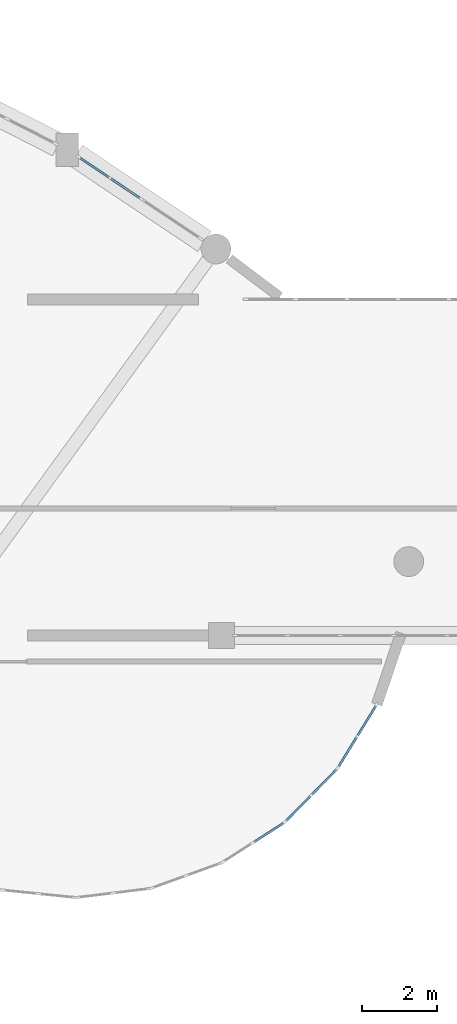
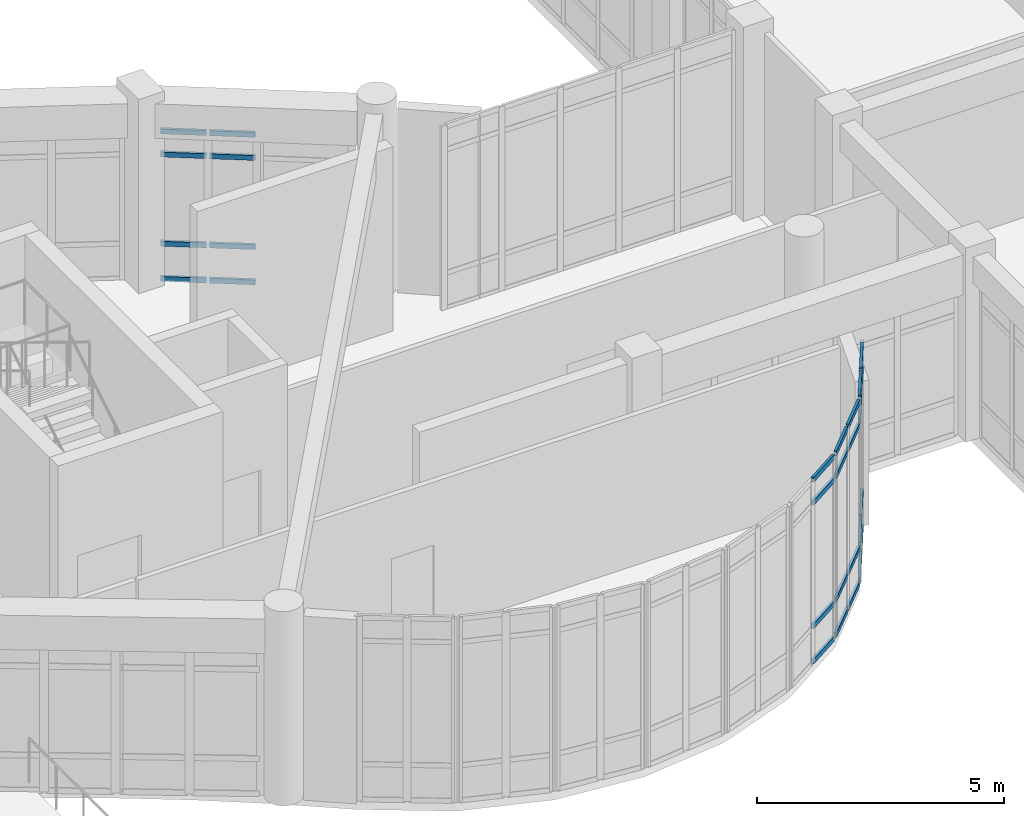
# One storey, part 35 of 65: 28 members, 4 elements without a shape of their own.
"""IFC4 building model written with IfcOpenShell, lengths in metres."""

from ifc_helpers import new_model, si_unit, direction, frame, origin, origin_2d, place, context, subcontext, project, spatial, rectangle, extrude, material, layer, layer_set, material_profile, profile_set, type_object, element, aggregate, save


model = new_model("IFC4")

# Units and contexts
model_context = context("Model", 3, precision=1e-05, world=origin(), true_north=direction((0.0, 1.0)))
body_context = subcontext(model_context, "Body", "Model", "MODEL_VIEW")
ifc_project = project(units=[si_unit("LENGTHUNIT", "METRE"), si_unit("AREAUNIT", "SQUARE_METRE"), si_unit("VOLUMEUNIT", "CUBIC_METRE"), si_unit("PLANEANGLEUNIT", "RADIAN"), si_unit("MASSUNIT", "GRAM", prefix="KILO")], contexts=[model_context])

# Site, building, storey
site_placement = place(None, origin())
site = spatial("IfcSite", under=ifc_project, at=site_placement, CompositionType="ELEMENT")
building_placement = place(site_placement, origin())
building = spatial("IfcBuilding", under=site, at=building_placement, Name="Miralva Faculty of Natural Sciences", CompositionType="ELEMENT")
storey_placement = place(building_placement, frame((0.0, 0.0, 10.199951171875)))
storey = spatial("IfcBuildingStorey", under=building, at=storey_placement, Name="L02", CompositionType="ELEMENT", Elevation=10.199951171875)

# Curtain wall, members
ifc_material_1 = material(Name="Laminated solar-control glass", Category="glass")
ifc_layer_1 = layer(ifc_material_1, 0.179931640625, Name="CW-ARC-L01")
ifc_layer_set_1 = layer_set([ifc_layer_1], Name="Laminated solar-control glass")
curtain_wall_type_1 = type_object("IfcCurtainWallType", Name="CW-ARC-L01", PredefinedType="USERDEFINED", material=ifc_layer_set_1)
curtain_wall_1_placement = place(storey_placement, origin())
curtain_wall_1 = element("IfcCurtainWall", 1, at=curtain_wall_1_placement, inside=storey, type_object=curtain_wall_type_1, Name="Curtain wall CW-02 L02-91", ObjectType="UNITISED CURTAIN WALL", PredefinedType="USERDEFINED")
ifc_material_2 = material(Name="Anodised aluminium", Category="aluminium")
ifc_material_profile = material_profile(ifc_material_2, rectangle(XDim=0.06005859375, YDim=0.1201171875, at=origin_2d()), Name="TRANSOM 60x120")
ifc_profile_set = profile_set([ifc_material_profile], Name="Anodised aluminium")
member_type = type_object("IfcMemberType", Name="CW-T02", PredefinedType="USERDEFINED", material=ifc_profile_set)
member_1_placement = place(storey_placement, frame((122.21337890625, 30.783203125, 0.030029296875), z_axis=(0.83148276453, -0.555550548815, 0.0), x_axis=(0.555550548815, 0.83148276453, 0.0)))
member_1 = element("IfcMember", 2, at=member_1_placement, type_object=member_type, Name="CW-02 transom 1.1", ObjectType="TRANSOM", PredefinedType="USERDEFINED", context=body_context, shape_type="SweptSolid", body=[
    extrude(rectangle(XDim=0.06005859375, YDim=0.1201171875, at=origin_2d()), origin(), (0.0, 0.0, 1.0), 0.92724609375),
])
member_2_placement = place(storey_placement, frame((122.21337890625, 30.783203125, 0.900146484375), z_axis=(0.83148276453, -0.555550548815, 0.0), x_axis=(0.555550548815, 0.83148276453, 0.0)))
member_2 = element("IfcMember", 3, at=member_2_placement, type_object=member_type, Name="CW-02 transom 1.2", ObjectType="TRANSOM", PredefinedType="USERDEFINED", context=body_context, shape_type="SweptSolid", body=[
    extrude(rectangle(XDim=0.06005859375, YDim=0.1201171875, at=origin_2d()), origin(), (0.0, 0.0, 1.0), 0.92724609375),
])
member_3_placement = place(storey_placement, frame((122.21337890625, 30.783203125, 3.10498046875), z_axis=(0.83148276453, -0.555550548815, 0.0), x_axis=(0.555550548815, 0.83148276453, 0.0)))
member_3 = element("IfcMember", 4, at=member_3_placement, type_object=member_type, Name="CW-02 transom 1.3", ObjectType="TRANSOM", PredefinedType="USERDEFINED", context=body_context, shape_type="SweptSolid", body=[
    extrude(rectangle(XDim=0.06005859375, YDim=0.1201171875, at=origin_2d()), origin(), (0.0, 0.0, 1.0), 0.92724609375),
])
member_4_placement = place(storey_placement, frame((122.21337890625, 30.783203125, 3.675048828125), z_axis=(0.83148276453, -0.555550548815, 0.0), x_axis=(0.555550548815, 0.83148276453, 0.0)))
member_4 = element("IfcMember", 5, at=member_4_placement, type_object=member_type, Name="CW-02 transom 1.4", ObjectType="TRANSOM", PredefinedType="USERDEFINED", context=body_context, shape_type="SweptSolid", body=[
    extrude(rectangle(XDim=0.06005859375, YDim=0.1201171875, at=origin_2d()), origin(), (0.0, 0.0, 1.0), 0.92724609375),
])
member_5_placement = place(storey_placement, frame((123.03857421875, 30.23193359375, 0.030029296875), z_axis=(0.831361138772, -0.555732540832, 0.0), x_axis=(0.555732540832, 0.831361138772, 0.0)))
member_5 = element("IfcMember", 6, at=member_5_placement, type_object=member_type, Name="CW-02 transom 2.1", ObjectType="TRANSOM", PredefinedType="USERDEFINED", context=body_context, shape_type="SweptSolid", body=[
    extrude(rectangle(XDim=0.06005859375, YDim=0.1201171875, at=origin_2d()), origin(), (0.0, 0.0, 1.0), 0.927490234375),
])
member_6_placement = place(storey_placement, frame((123.03857421875, 30.23193359375, 0.900146484375), z_axis=(0.831361138772, -0.555732540832, 0.0), x_axis=(0.555732540832, 0.831361138772, 0.0)))
member_6 = element("IfcMember", 7, at=member_6_placement, type_object=member_type, Name="CW-02 transom 2.2", ObjectType="TRANSOM", PredefinedType="USERDEFINED", context=body_context, shape_type="SweptSolid", body=[
    extrude(rectangle(XDim=0.06005859375, YDim=0.1201171875, at=origin_2d()), origin(), (0.0, 0.0, 1.0), 0.927490234375),
])
member_7_placement = place(storey_placement, frame((123.03857421875, 30.23193359375, 3.10498046875), z_axis=(0.831361138772, -0.555732540832, 0.0), x_axis=(0.555732540832, 0.831361138772, 0.0)))
member_7 = element("IfcMember", 8, at=member_7_placement, type_object=member_type, Name="CW-02 transom 2.3", ObjectType="TRANSOM", PredefinedType="USERDEFINED", context=body_context, shape_type="SweptSolid", body=[
    extrude(rectangle(XDim=0.06005859375, YDim=0.1201171875, at=origin_2d()), origin(), (0.0, 0.0, 1.0), 0.927490234375),
])
member_8_placement = place(storey_placement, frame((123.03857421875, 30.23193359375, 3.675048828125), z_axis=(0.831361138772, -0.555732540832, 0.0), x_axis=(0.555732540832, 0.831361138772, 0.0)))
member_8 = element("IfcMember", 9, at=member_8_placement, type_object=member_type, Name="CW-02 transom 2.4", ObjectType="TRANSOM", PredefinedType="USERDEFINED", context=body_context, shape_type="SweptSolid", body=[
    extrude(rectangle(XDim=0.06005859375, YDim=0.1201171875, at=origin_2d()), origin(), (0.0, 0.0, 1.0), 0.927490234375),
])
aggregate(curtain_wall_1, [member_1, member_2, member_3, member_4, member_5, member_6, member_7, member_8])

ifc_layer_2 = layer(ifc_material_1, 0.179931640625, Name="CW-RND-L01")
ifc_layer_set_2 = layer_set([ifc_layer_2], Name="Laminated solar-control glass")
curtain_wall_type_2 = type_object("IfcCurtainWallType", Name="CW-RND-L01", PredefinedType="USERDEFINED", material=ifc_layer_set_2)
curtain_wall_2_placement = place(storey_placement, origin())
curtain_wall_2 = element("IfcCurtainWall", 10, at=curtain_wall_2_placement, inside=storey, type_object=curtain_wall_type_2, Name="Curtain wall CW-05 L02-101", ObjectType="UNITISED CURTAIN WALL", PredefinedType="USERDEFINED")
member_9_placement = place(storey_placement, frame((129.140625, 14.490966796875, 0.030029296875), z_axis=(0.52351521274, 0.852016327326, 0.0), x_axis=(-0.852016327326, 0.52351521274, 0.0)))
member_9 = element("IfcMember", 11, at=member_9_placement, type_object=member_type, Name="CW-05 transom 1.1", ObjectType="TRANSOM", PredefinedType="USERDEFINED", context=body_context, shape_type="SweptSolid", body=[
    extrude(rectangle(XDim=0.06005859375, YDim=0.1201171875, at=origin_2d()), origin(), (0.0, 0.0, 1.0), 0.91259765625),
])
member_10_placement = place(storey_placement, frame((129.140625, 14.490966796875, 0.900146484375), z_axis=(0.52351521274, 0.852016327326, 0.0), x_axis=(-0.852016327326, 0.52351521274, 0.0)))
member_10 = element("IfcMember", 12, at=member_10_placement, type_object=member_type, Name="CW-05 transom 1.2", ObjectType="TRANSOM", PredefinedType="USERDEFINED", context=body_context, shape_type="SweptSolid", body=[
    extrude(rectangle(XDim=0.06005859375, YDim=0.1201171875, at=origin_2d()), origin(), (0.0, 0.0, 1.0), 0.91259765625),
])
member_11_placement = place(storey_placement, frame((129.140625, 14.490966796875, 3.949951171875), z_axis=(0.52351521274, 0.852016327326, 0.0), x_axis=(-0.852016327326, 0.52351521274, 0.0)))
member_11 = element("IfcMember", 13, at=member_11_placement, type_object=member_type, Name="CW-05 transom 1.3", ObjectType="TRANSOM", PredefinedType="USERDEFINED", context=body_context, shape_type="SweptSolid", body=[
    extrude(rectangle(XDim=0.06005859375, YDim=0.1201171875, at=origin_2d()), origin(), (0.0, 0.0, 1.0), 0.91259765625),
])
member_12_placement = place(storey_placement, frame((129.140625, 14.490966796875, 4.52001953125), z_axis=(0.52351521274, 0.852016327326, 0.0), x_axis=(-0.852016327326, 0.52351521274, 0.0)))
member_12 = element("IfcMember", 14, at=member_12_placement, type_object=member_type, Name="CW-05 transom 1.4", ObjectType="TRANSOM", PredefinedType="USERDEFINED", context=body_context, shape_type="SweptSolid", body=[
    extrude(rectangle(XDim=0.06005859375, YDim=0.1201171875, at=origin_2d()), origin(), (0.0, 0.0, 1.0), 0.91259765625),
])
member_13_placement = place(storey_placement, frame((129.65234375, 15.323974609375, 0.030029296875), z_axis=(0.523709365282, 0.851897001237, 0.0), x_axis=(-0.851897001237, 0.523709365282, 0.0)))
member_13 = element("IfcMember", 15, at=member_13_placement, type_object=member_type, Name="CW-05 transom 2.1", ObjectType="TRANSOM", PredefinedType="USERDEFINED", context=body_context, shape_type="SweptSolid", body=[
    extrude(rectangle(XDim=0.06005859375, YDim=0.1201171875, at=origin_2d()), origin(), (0.0, 0.0, 1.0), 0.912841796875),
])
member_14_placement = place(storey_placement, frame((129.65234375, 15.323974609375, 0.900146484375), z_axis=(0.523709365282, 0.851897001237, 0.0), x_axis=(-0.851897001237, 0.523709365282, 0.0)))
member_14 = element("IfcMember", 16, at=member_14_placement, type_object=member_type, Name="CW-05 transom 2.2", ObjectType="TRANSOM", PredefinedType="USERDEFINED", context=body_context, shape_type="SweptSolid", body=[
    extrude(rectangle(XDim=0.06005859375, YDim=0.1201171875, at=origin_2d()), origin(), (0.0, 0.0, 1.0), 0.912841796875),
])
member_15_placement = place(storey_placement, frame((129.65234375, 15.323974609375, 3.949951171875), z_axis=(0.523709365282, 0.851897001237, 0.0), x_axis=(-0.851897001237, 0.523709365282, 0.0)))
member_15 = element("IfcMember", 17, at=member_15_placement, type_object=member_type, Name="CW-05 transom 2.3", ObjectType="TRANSOM", PredefinedType="USERDEFINED", context=body_context, shape_type="SweptSolid", body=[
    extrude(rectangle(XDim=0.06005859375, YDim=0.1201171875, at=origin_2d()), origin(), (0.0, 0.0, 1.0), 0.912841796875),
])
member_16_placement = place(storey_placement, frame((129.65234375, 15.323974609375, 4.52001953125), z_axis=(0.523709365282, 0.851897001237, 0.0), x_axis=(-0.851897001237, 0.523709365282, 0.0)))
member_16 = element("IfcMember", 18, at=member_16_placement, type_object=member_type, Name="CW-05 transom 2.4", ObjectType="TRANSOM", PredefinedType="USERDEFINED", context=body_context, shape_type="SweptSolid", body=[
    extrude(rectangle(XDim=0.06005859375, YDim=0.1201171875, at=origin_2d()), origin(), (0.0, 0.0, 1.0), 0.912841796875),
])
aggregate(curtain_wall_2, [member_9, member_10, member_11, member_12, member_13, member_14, member_15, member_16])

curtain_wall_3_placement = place(storey_placement, origin())
curtain_wall_3 = element("IfcCurtainWall", 19, at=curtain_wall_3_placement, inside=storey, type_object=curtain_wall_type_2, Name="Curtain wall CW-05 L02-102", ObjectType="UNITISED CURTAIN WALL", PredefinedType="USERDEFINED")
member_17_placement = place(storey_placement, frame((127.7412109375, 13.042724609375, 0.030029296875), z_axis=(0.699983155997, 0.71415935289, 0.0), x_axis=(-0.71415935289, 0.699983155997, 0.0)))
member_17 = element("IfcMember", 20, at=member_17_placement, type_object=member_type, Name="CW-05 transom 1.1", ObjectType="TRANSOM", PredefinedType="USERDEFINED", context=body_context, shape_type="SweptSolid", body=[
    extrude(rectangle(XDim=0.06005859375, YDim=0.1201171875, at=origin_2d()), origin(), (0.0, 0.0, 1.0), 0.912841796875),
])
member_18_placement = place(storey_placement, frame((127.7412109375, 13.042724609375, 0.900146484375), z_axis=(0.699983155997, 0.71415935289, 0.0), x_axis=(-0.71415935289, 0.699983155997, 0.0)))
member_18 = element("IfcMember", 21, at=member_18_placement, type_object=member_type, Name="CW-05 transom 1.2", ObjectType="TRANSOM", PredefinedType="USERDEFINED", context=body_context, shape_type="SweptSolid", body=[
    extrude(rectangle(XDim=0.06005859375, YDim=0.1201171875, at=origin_2d()), origin(), (0.0, 0.0, 1.0), 0.912841796875),
])
member_19_placement = place(storey_placement, frame((127.7412109375, 13.042724609375, 3.949951171875), z_axis=(0.699983155997, 0.71415935289, 0.0), x_axis=(-0.71415935289, 0.699983155997, 0.0)))
member_19 = element("IfcMember", 22, at=member_19_placement, type_object=member_type, Name="CW-05 transom 1.3", ObjectType="TRANSOM", PredefinedType="USERDEFINED", context=body_context, shape_type="SweptSolid", body=[
    extrude(rectangle(XDim=0.06005859375, YDim=0.1201171875, at=origin_2d()), origin(), (0.0, 0.0, 1.0), 0.912841796875),
])
member_20_placement = place(storey_placement, frame((127.7412109375, 13.042724609375, 4.52001953125), z_axis=(0.699983155997, 0.71415935289, 0.0), x_axis=(-0.71415935289, 0.699983155997, 0.0)))
member_20 = element("IfcMember", 23, at=member_20_placement, type_object=member_type, Name="CW-05 transom 1.4", ObjectType="TRANSOM", PredefinedType="USERDEFINED", context=body_context, shape_type="SweptSolid", body=[
    extrude(rectangle(XDim=0.06005859375, YDim=0.1201171875, at=origin_2d()), origin(), (0.0, 0.0, 1.0), 0.912841796875),
])
member_21_placement = place(storey_placement, frame((128.425537109375, 13.740966796875, 0.030029296875), z_axis=(0.699983155997, 0.71415935289, 0.0), x_axis=(-0.71415935289, 0.699983155997, 0.0)))
member_21 = element("IfcMember", 24, at=member_21_placement, type_object=member_type, Name="CW-05 transom 2.1", ObjectType="TRANSOM", PredefinedType="USERDEFINED", context=body_context, shape_type="SweptSolid", body=[
    extrude(rectangle(XDim=0.06005859375, YDim=0.1201171875, at=origin_2d()), origin(), (0.0, 0.0, 1.0), 0.912841796875),
])
member_22_placement = place(storey_placement, frame((128.425537109375, 13.740966796875, 0.900146484375), z_axis=(0.699983155997, 0.71415935289, 0.0), x_axis=(-0.71415935289, 0.699983155997, 0.0)))
member_22 = element("IfcMember", 25, at=member_22_placement, type_object=member_type, Name="CW-05 transom 2.2", ObjectType="TRANSOM", PredefinedType="USERDEFINED", context=body_context, shape_type="SweptSolid", body=[
    extrude(rectangle(XDim=0.06005859375, YDim=0.1201171875, at=origin_2d()), origin(), (0.0, 0.0, 1.0), 0.912841796875),
])
member_23_placement = place(storey_placement, frame((128.425537109375, 13.740966796875, 3.949951171875), z_axis=(0.699983155997, 0.71415935289, 0.0), x_axis=(-0.71415935289, 0.699983155997, 0.0)))
member_23 = element("IfcMember", 26, at=member_23_placement, type_object=member_type, Name="CW-05 transom 2.3", ObjectType="TRANSOM", PredefinedType="USERDEFINED", context=body_context, shape_type="SweptSolid", body=[
    extrude(rectangle(XDim=0.06005859375, YDim=0.1201171875, at=origin_2d()), origin(), (0.0, 0.0, 1.0), 0.912841796875),
])
member_24_placement = place(storey_placement, frame((128.425537109375, 13.740966796875, 4.52001953125), z_axis=(0.699983155997, 0.71415935289, 0.0), x_axis=(-0.71415935289, 0.699983155997, 0.0)))
member_24 = element("IfcMember", 27, at=member_24_placement, type_object=member_type, Name="CW-05 transom 2.4", ObjectType="TRANSOM", PredefinedType="USERDEFINED", context=body_context, shape_type="SweptSolid", body=[
    extrude(rectangle(XDim=0.06005859375, YDim=0.1201171875, at=origin_2d()), origin(), (0.0, 0.0, 1.0), 0.912841796875),
])
aggregate(curtain_wall_3, [member_17, member_18, member_19, member_20, member_21, member_22, member_23, member_24])

curtain_wall_4_placement = place(storey_placement, origin())
curtain_wall_4 = element("IfcCurtainWall", 28, at=curtain_wall_4_placement, inside=storey, type_object=curtain_wall_type_2, Name="Curtain wall CW-05 L02-103", ObjectType="UNITISED CURTAIN WALL", PredefinedType="USERDEFINED")
member_25_placement = place(storey_placement, frame((126.877197265625, 12.470703125, 0.030029296875), z_axis=(0.841473826714, 0.540297879836, 0.0), x_axis=(-0.540297879836, 0.841473826714, 0.0)))
member_25 = element("IfcMember", 29, at=member_25_placement, type_object=member_type, Name="CW-05 transom 2.1", ObjectType="TRANSOM", PredefinedType="USERDEFINED", context=body_context, shape_type="SweptSolid", body=[
    extrude(rectangle(XDim=0.06005859375, YDim=0.1201171875, at=origin_2d()), origin(), (0.0, 0.0, 1.0), 0.912841796875),
])
member_26_placement = place(storey_placement, frame((126.877197265625, 12.470703125, 0.900146484375), z_axis=(0.841473826714, 0.540297879836, 0.0), x_axis=(-0.540297879836, 0.841473826714, 0.0)))
member_26 = element("IfcMember", 30, at=member_26_placement, type_object=member_type, Name="CW-05 transom 2.2", ObjectType="TRANSOM", PredefinedType="USERDEFINED", context=body_context, shape_type="SweptSolid", body=[
    extrude(rectangle(XDim=0.06005859375, YDim=0.1201171875, at=origin_2d()), origin(), (0.0, 0.0, 1.0), 0.912841796875),
])
member_27_placement = place(storey_placement, frame((126.877197265625, 12.470703125, 3.949951171875), z_axis=(0.841473826714, 0.540297879836, 0.0), x_axis=(-0.540297879836, 0.841473826714, 0.0)))
member_27 = element("IfcMember", 31, at=member_27_placement, type_object=member_type, Name="CW-05 transom 2.3", ObjectType="TRANSOM", PredefinedType="USERDEFINED", context=body_context, shape_type="SweptSolid", body=[
    extrude(rectangle(XDim=0.06005859375, YDim=0.1201171875, at=origin_2d()), origin(), (0.0, 0.0, 1.0), 0.912841796875),
])
member_28_placement = place(storey_placement, frame((126.877197265625, 12.470703125, 4.52001953125), z_axis=(0.841473826714, 0.540297879836, 0.0), x_axis=(-0.540297879836, 0.841473826714, 0.0)))
member_28 = element("IfcMember", 32, at=member_28_placement, type_object=member_type, Name="CW-05 transom 2.4", ObjectType="TRANSOM", PredefinedType="USERDEFINED", context=body_context, shape_type="SweptSolid", body=[
    extrude(rectangle(XDim=0.06005859375, YDim=0.1201171875, at=origin_2d()), origin(), (0.0, 0.0, 1.0), 0.912841796875),
])
aggregate(curtain_wall_4, [member_25, member_26, member_27, member_28])

save(model, "model.ifc")
